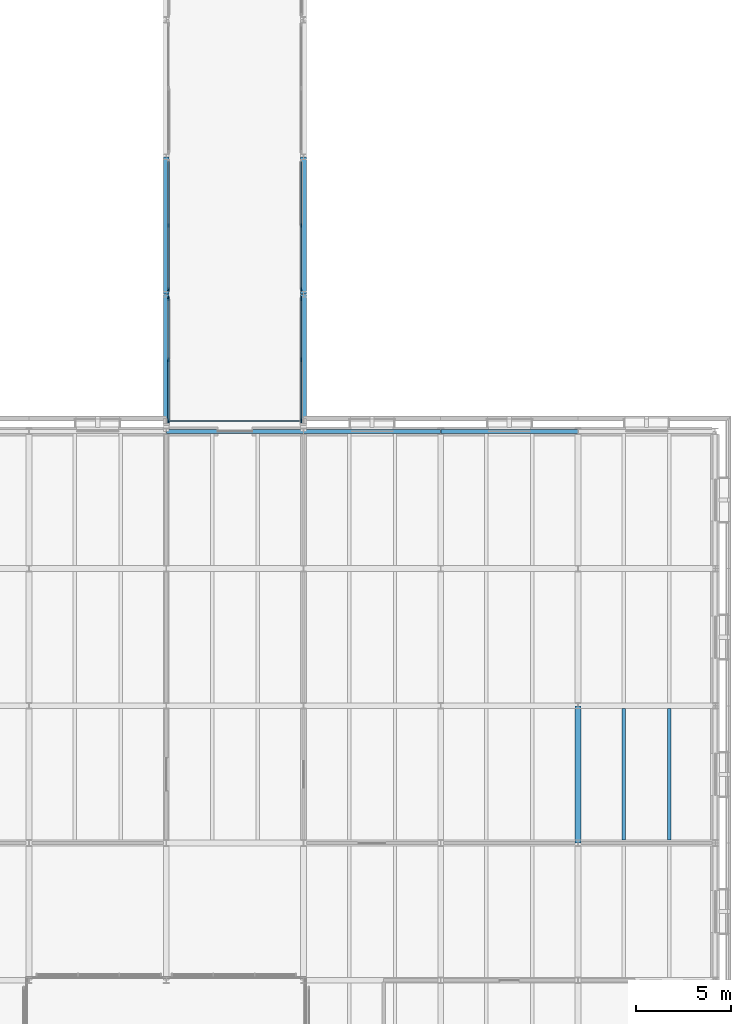
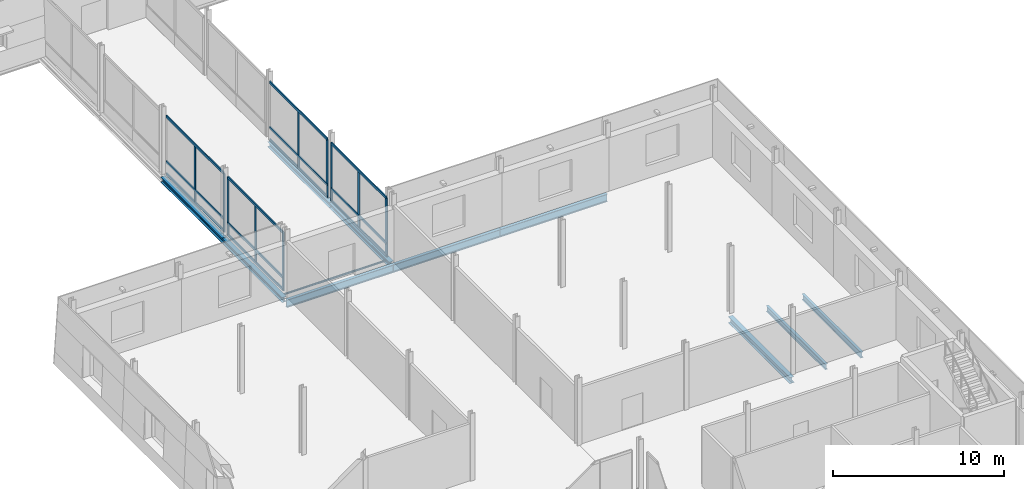
# One storey, part 42 of 121: 22 members, 11 beams, 4 elements without a shape of their own.
"""IFC4 building model written with IfcOpenShell, lengths in metres."""

from ifc_helpers import new_model, si_unit, direction, frame, origin, origin_2d, place, context, subcontext, project, spatial, rectangle, i_section, extrude, material, layer, layer_set, material_profile, profile_set, type_object, element, aggregate, save


model = new_model("IFC4")

# Units and contexts
model_context = context("Model", 3, precision=1e-05, world=origin(), true_north=direction((0.0, 1.0)))
body_context = subcontext(model_context, "Body", "Model", "MODEL_VIEW")
ifc_project = project(units=[si_unit("LENGTHUNIT", "METRE"), si_unit("AREAUNIT", "SQUARE_METRE"), si_unit("VOLUMEUNIT", "CUBIC_METRE"), si_unit("PLANEANGLEUNIT", "RADIAN"), si_unit("MASSUNIT", "GRAM", prefix="KILO")], contexts=[model_context])

# Site, building, storey
site_placement = place(None, origin())
site = spatial("IfcSite", under=ifc_project, at=site_placement, CompositionType="ELEMENT")
building_placement = place(site_placement, origin())
building = spatial("IfcBuilding", under=site, at=building_placement, Name="Narikvali Park Central Library", CompositionType="ELEMENT")
storey_placement = place(building_placement, frame((0.0, 0.0, 5.39990234375)))
storey = spatial("IfcBuildingStorey", under=building, at=storey_placement, Name="L01", CompositionType="ELEMENT", Elevation=5.39990234375)

# Beams
ifc_material_1 = material(Name="Steel S355", Category="steel")
ifc_material_profile_1 = material_profile(ifc_material_1, i_section(OverallWidth=0.300048828125, OverallDepth=0.360107421875, WebThickness=0.012451171875, FlangeThickness=0.0224609375, FilletRadius=0.027099609375, at=origin_2d()), Name="HEB 360")
ifc_profile_set_1 = profile_set([ifc_material_profile_1], Name="Steel S355")
beam_type_1 = type_object("IfcBeamType", Name="Cloister Bridge Girder HEB360", PredefinedType="BEAM", material=ifc_profile_set_1)
beam_1_placement = place(storey_placement, frame((136.800048828125, 50.6201171875, -0.429931640625), z_axis=(0.0, 1.0, 0.0), x_axis=(-1.0, 0.0, 0.0)))
element("IfcBeam", 1, at=beam_1_placement, inside=storey, type_object=beam_type_1, Name="BRG-4 L01 Sliding Bridge Girder 1-1", PredefinedType="BEAM", context=body_context, shape_type="SweptSolid", body=[
    extrude(i_section(OverallWidth=0.300048828125, OverallDepth=0.360107421875, WebThickness=0.012451171875, FlangeThickness=0.0224609375, FilletRadius=0.027099609375, at=origin_2d()), origin(), (0.0, 0.0, 1.0), 6.969970703125),
])
beam_2_placement = place(storey_placement, frame((136.800048828125, 57.610107421875, -0.429931640625), z_axis=(0.0, 1.0, 0.0), x_axis=(-1.0, 0.0, 0.0)))
element("IfcBeam", 2, at=beam_2_placement, inside=storey, type_object=beam_type_1, Name="BRG-4 L01 Sliding Bridge Girder 1-2", PredefinedType="BEAM", context=body_context, shape_type="SweptSolid", body=[
    extrude(i_section(OverallWidth=0.300048828125, OverallDepth=0.360107421875, WebThickness=0.012451171875, FlangeThickness=0.0224609375, FilletRadius=0.027099609375, at=origin_2d()), origin(), (0.0, 0.0, 1.0), 7.179931640625),
])
beam_3_placement = place(storey_placement, frame((144.0, 50.6201171875, -0.429931640625), z_axis=(0.0, 1.0, 0.0), x_axis=(-1.0, 0.0, 0.0)))
element("IfcBeam", 3, at=beam_3_placement, inside=storey, type_object=beam_type_1, Name="BRG-4 L01 Sliding Bridge Girder 2-1", PredefinedType="BEAM", context=body_context, shape_type="SweptSolid", body=[
    extrude(i_section(OverallWidth=0.300048828125, OverallDepth=0.360107421875, WebThickness=0.012451171875, FlangeThickness=0.0224609375, FilletRadius=0.027099609375, at=origin_2d()), origin(), (0.0, 0.0, 1.0), 6.969970703125),
])
beam_4_placement = place(storey_placement, frame((144.0, 57.610107421875, -0.429931640625), z_axis=(0.0, 1.0, 0.0), x_axis=(-1.0, 0.0, 0.0)))
element("IfcBeam", 4, at=beam_4_placement, inside=storey, type_object=beam_type_1, Name="BRG-4 L01 Sliding Bridge Girder 2-2", PredefinedType="BEAM", context=body_context, shape_type="SweptSolid", body=[
    extrude(i_section(OverallWidth=0.300048828125, OverallDepth=0.360107421875, WebThickness=0.012451171875, FlangeThickness=0.0224609375, FilletRadius=0.027099609375, at=origin_2d()), origin(), (0.0, 0.0, 1.0), 7.179931640625),
])
ifc_material_profile_2 = material_profile(ifc_material_1, i_section(OverallWidth=0.179931640625, OverallDepth=0.39990234375, WebThickness=0.008544921875, FlangeThickness=0.013427734375, FilletRadius=0.02099609375, at=origin_2d()), Name="IPE 400")
ifc_profile_set_2 = profile_set([ifc_material_profile_2], Name="Steel S355")
beam_type_2 = type_object("IfcBeamType", Name="Composite Floor Joist IPE400", PredefinedType="JOIST", material=ifc_profile_set_2)
for number, where, z_axis, x_axis, name in (
    (5, (160.800048828125, 28.949951171875, -0.47998046875), (0.0, 1.0, 0.0), (-1.0, 0.0, 0.0), "V6 L01 Composite Joist 1"),
    (6, (163.199951171875, 28.949951171875, -0.47998046875), (0.0, 1.0, 0.0), (-1.0, 0.0, 0.0), "V6 L01 Composite Joist 2"),
):
    element("IfcBeam", number, at=place(storey_placement, frame(where, z_axis=z_axis, x_axis=x_axis)), inside=storey, type_object=beam_type_2, Name=name, PredefinedType="JOIST", context=body_context, shape_type="SweptSolid", body=[
        extrude(i_section(OverallWidth=0.179931640625, OverallDepth=0.39990234375, WebThickness=0.008544921875, FlangeThickness=0.013427734375, FilletRadius=0.02099609375, at=origin_2d()), origin(), (0.0, 0.0, 1.0), 6.900146484375),
    ])

# Curtain wall, members
ifc_material_2 = material(Name="Anodised Bronze Aluminium", Category="aluminium")
ifc_layer = layer(ifc_material_2, 0.219970703125, Name="Anodised Bronze Aluminium")
ifc_layer_set = layer_set([ifc_layer], Name="Anodised Bronze Aluminium")
curtain_wall_type = type_object("IfcCurtainWallType", Name="Bridge Covered Passage Glazing System", PredefinedType="NOTDEFINED", material=ifc_layer_set)
curtain_wall_1_placement = place(storey_placement, origin())
curtain_wall_1 = element("IfcCurtainWall", 7, at=curtain_wall_1_placement, inside=storey, type_object=curtain_wall_type, Name="Bridge Covered Passage Glazing System CW-BRG-4-L01-W1", PredefinedType="NOTDEFINED")
ifc_material_profile_3 = material_profile(ifc_material_2, rectangle(XDim=0.074951171875, YDim=0.179931640625, at=origin_2d()), Name="CW TRANSOM 75x180")
ifc_profile_set_3 = profile_set([ifc_material_profile_3], Name="Anodised Bronze Aluminium")
member_type_1 = type_object("IfcMemberType", Name="Curtain Wall Heavy Transom 75x180", PredefinedType="USERDEFINED", material=ifc_profile_set_3)
member_1_placement = place(storey_placement, frame((136.919921875, 50.949951171875, 0.030029296875), z_axis=(0.0, 1.0, 0.0), x_axis=(-1.0, 0.0, 0.0)))
member_1 = element("IfcMember", 8, at=member_1_placement, type_object=member_type_1, Name="CW-BRG-4-L01-W1 Transom 00", ObjectType="TRANSOM", PredefinedType="USERDEFINED", context=body_context, shape_type="SweptSolid", body=[
    extrude(rectangle(XDim=0.074951171875, YDim=0.179931640625, at=origin_2d()), origin(), (0.0, 0.0, 1.0), 6.41015625),
])
member_2_placement = place(storey_placement, frame((136.919921875, 50.949951171875, 0.900146484375), z_axis=(0.0, 1.0, 0.0), x_axis=(-1.0, 0.0, 0.0)))
member_2 = element("IfcMember", 9, at=member_2_placement, type_object=member_type_1, Name="CW-BRG-4-L01-W1 Transom 01", ObjectType="TRANSOM", PredefinedType="USERDEFINED", context=body_context, shape_type="SweptSolid", body=[
    extrude(rectangle(XDim=0.074951171875, YDim=0.179931640625, at=origin_2d()), origin(), (0.0, 0.0, 1.0), 6.41015625),
])
member_3_placement = place(storey_placement, frame((136.919921875, 50.949951171875, 4.1201171875), z_axis=(0.0, 1.0, 0.0), x_axis=(-1.0, 0.0, 0.0)))
member_3 = element("IfcMember", 10, at=member_3_placement, type_object=member_type_1, Name="CW-BRG-4-L01-W1 Transom 02", ObjectType="TRANSOM", PredefinedType="USERDEFINED", context=body_context, shape_type="SweptSolid", body=[
    extrude(rectangle(XDim=0.074951171875, YDim=0.179931640625, at=origin_2d()), origin(), (0.0, 0.0, 1.0), 6.41015625),
])

curtain_wall_2_placement = place(storey_placement, origin())
curtain_wall_2 = element("IfcCurtainWall", 11, at=curtain_wall_2_placement, inside=storey, type_object=curtain_wall_type, Name="Bridge Covered Passage Glazing System CW-BRG-4-L01-E1", PredefinedType="NOTDEFINED")
member_4_placement = place(storey_placement, frame((143.8798828125, 50.949951171875, 0.030029296875), z_axis=(0.0, 1.0, 0.0), x_axis=(-1.0, 0.0, 0.0)))
member_4 = element("IfcMember", 12, at=member_4_placement, type_object=member_type_1, Name="CW-BRG-4-L01-E1 Transom 00", ObjectType="TRANSOM", PredefinedType="USERDEFINED", context=body_context, shape_type="SweptSolid", body=[
    extrude(rectangle(XDim=0.074951171875, YDim=0.179931640625, at=origin_2d()), origin(), (0.0, 0.0, 1.0), 6.41015625),
])
member_5_placement = place(storey_placement, frame((143.8798828125, 50.949951171875, 0.900146484375), z_axis=(0.0, 1.0, 0.0), x_axis=(-1.0, 0.0, 0.0)))
member_5 = element("IfcMember", 13, at=member_5_placement, type_object=member_type_1, Name="CW-BRG-4-L01-E1 Transom 01", ObjectType="TRANSOM", PredefinedType="USERDEFINED", context=body_context, shape_type="SweptSolid", body=[
    extrude(rectangle(XDim=0.074951171875, YDim=0.179931640625, at=origin_2d()), origin(), (0.0, 0.0, 1.0), 6.41015625),
])
member_6_placement = place(storey_placement, frame((143.8798828125, 50.949951171875, 4.1201171875), z_axis=(0.0, 1.0, 0.0), x_axis=(-1.0, 0.0, 0.0)))
member_6 = element("IfcMember", 14, at=member_6_placement, type_object=member_type_1, Name="CW-BRG-4-L01-E1 Transom 02", ObjectType="TRANSOM", PredefinedType="USERDEFINED", context=body_context, shape_type="SweptSolid", body=[
    extrude(rectangle(XDim=0.074951171875, YDim=0.179931640625, at=origin_2d()), origin(), (0.0, 0.0, 1.0), 6.41015625),
])

curtain_wall_3_placement = place(storey_placement, origin())
curtain_wall_3 = element("IfcCurtainWall", 15, at=curtain_wall_3_placement, inside=storey, type_object=curtain_wall_type, Name="Bridge Covered Passage Glazing System CW-BRG-4-L01-W2", PredefinedType="NOTDEFINED")
member_7_placement = place(storey_placement, frame((136.919921875, 57.840087890625, 0.030029296875), z_axis=(0.0, 1.0, 0.0), x_axis=(-1.0, 0.0, 0.0)))
member_7 = element("IfcMember", 16, at=member_7_placement, type_object=member_type_1, Name="CW-BRG-4-L01-W2 Transom 00", ObjectType="TRANSOM", PredefinedType="USERDEFINED", context=body_context, shape_type="SweptSolid", body=[
    extrude(rectangle(XDim=0.074951171875, YDim=0.179931640625, at=origin_2d()), origin(), (0.0, 0.0, 1.0), 6.719970703125),
])
member_8_placement = place(storey_placement, frame((136.919921875, 57.840087890625, 0.900146484375), z_axis=(0.0, 1.0, 0.0), x_axis=(-1.0, 0.0, 0.0)))
member_8 = element("IfcMember", 17, at=member_8_placement, type_object=member_type_1, Name="CW-BRG-4-L01-W2 Transom 01", ObjectType="TRANSOM", PredefinedType="USERDEFINED", context=body_context, shape_type="SweptSolid", body=[
    extrude(rectangle(XDim=0.074951171875, YDim=0.179931640625, at=origin_2d()), origin(), (0.0, 0.0, 1.0), 6.719970703125),
])
member_9_placement = place(storey_placement, frame((136.919921875, 57.840087890625, 4.1201171875), z_axis=(0.0, 1.0, 0.0), x_axis=(-1.0, 0.0, 0.0)))
member_9 = element("IfcMember", 18, at=member_9_placement, type_object=member_type_1, Name="CW-BRG-4-L01-W2 Transom 02", ObjectType="TRANSOM", PredefinedType="USERDEFINED", context=body_context, shape_type="SweptSolid", body=[
    extrude(rectangle(XDim=0.074951171875, YDim=0.179931640625, at=origin_2d()), origin(), (0.0, 0.0, 1.0), 6.719970703125),
])

curtain_wall_4_placement = place(storey_placement, origin())
curtain_wall_4 = element("IfcCurtainWall", 19, at=curtain_wall_4_placement, inside=storey, type_object=curtain_wall_type, Name="Bridge Covered Passage Glazing System CW-BRG-4-L01-E2", PredefinedType="NOTDEFINED")
member_10_placement = place(storey_placement, frame((143.8798828125, 57.840087890625, 0.030029296875), z_axis=(0.0, 1.0, 0.0), x_axis=(-1.0, 0.0, 0.0)))
member_10 = element("IfcMember", 20, at=member_10_placement, type_object=member_type_1, Name="CW-BRG-4-L01-E2 Transom 00", ObjectType="TRANSOM", PredefinedType="USERDEFINED", context=body_context, shape_type="SweptSolid", body=[
    extrude(rectangle(XDim=0.074951171875, YDim=0.179931640625, at=origin_2d()), origin(), (0.0, 0.0, 1.0), 6.719970703125),
])
member_11_placement = place(storey_placement, frame((143.8798828125, 57.840087890625, 0.900146484375), z_axis=(0.0, 1.0, 0.0), x_axis=(-1.0, 0.0, 0.0)))
member_11 = element("IfcMember", 21, at=member_11_placement, type_object=member_type_1, Name="CW-BRG-4-L01-E2 Transom 01", ObjectType="TRANSOM", PredefinedType="USERDEFINED", context=body_context, shape_type="SweptSolid", body=[
    extrude(rectangle(XDim=0.074951171875, YDim=0.179931640625, at=origin_2d()), origin(), (0.0, 0.0, 1.0), 6.719970703125),
])
member_12_placement = place(storey_placement, frame((143.8798828125, 57.840087890625, 4.1201171875), z_axis=(0.0, 1.0, 0.0), x_axis=(-1.0, 0.0, 0.0)))
member_12 = element("IfcMember", 22, at=member_12_placement, type_object=member_type_1, Name="CW-BRG-4-L01-E2 Transom 02", ObjectType="TRANSOM", PredefinedType="USERDEFINED", context=body_context, shape_type="SweptSolid", body=[
    extrude(rectangle(XDim=0.074951171875, YDim=0.179931640625, at=origin_2d()), origin(), (0.0, 0.0, 1.0), 6.719970703125),
])

# Member
ifc_material_profile_4 = material_profile(ifc_material_2, rectangle(XDim=0.070068359375, YDim=0.199951171875, at=origin_2d()), Name="CW MULLION 70x200")
ifc_profile_set_4 = profile_set([ifc_material_profile_4], Name="Anodised Bronze Aluminium")
member_type_2 = type_object("IfcMemberType", Name="Curtain Wall Mullion 70x200", PredefinedType="MULLION", material=ifc_profile_set_4)
member_13_placement = place(storey_placement, frame((136.919921875, 50.949951171875, -0.010009765625), z_axis=(0.0, 0.0, 1.0), x_axis=(1.0, 0.0, 0.0)))
member_13 = element("IfcMember", 23, at=member_13_placement, type_object=member_type_2, Name="CW-BRG-4-L01-W1 Mullion 00", PredefinedType="MULLION", context=body_context, shape_type="SweptSolid", body=[
    extrude(rectangle(XDim=0.070068359375, YDim=0.199951171875, at=origin_2d()), origin(), (0.0, 0.0, 1.0), 4.16015625),
])

member_14_placement = place(storey_placement, frame((136.919921875, 54.155029296875, -0.010009765625), z_axis=(0.0, 0.0, 1.0), x_axis=(1.0, 0.0, 0.0)))
member_14 = element("IfcMember", 24, at=member_14_placement, type_object=member_type_2, Name="CW-BRG-4-L01-W1 Mullion 01", PredefinedType="MULLION", context=body_context, shape_type="SweptSolid", body=[
    extrude(rectangle(XDim=0.070068359375, YDim=0.199951171875, at=origin_2d()), origin(), (0.0, 0.0, 1.0), 4.16015625),
])

member_15_placement = place(storey_placement, frame((136.919921875, 57.360107421875, -0.010009765625), z_axis=(0.0, 0.0, 1.0), x_axis=(1.0, 0.0, 0.0)))
member_15 = element("IfcMember", 25, at=member_15_placement, type_object=member_type_2, Name="CW-BRG-4-L01-W1 Mullion 02", PredefinedType="MULLION", context=body_context, shape_type="SweptSolid", body=[
    extrude(rectangle(XDim=0.070068359375, YDim=0.199951171875, at=origin_2d()), origin(), (0.0, 0.0, 1.0), 4.16015625),
])

aggregate(curtain_wall_1, [member_13, member_14, member_15, member_1, member_2, member_3])

member_16_placement = place(storey_placement, frame((143.8798828125, 50.949951171875, -0.010009765625), z_axis=(0.0, 0.0, 1.0), x_axis=(1.0, 0.0, 0.0)))
member_16 = element("IfcMember", 26, at=member_16_placement, type_object=member_type_2, Name="CW-BRG-4-L01-E1 Mullion 00", PredefinedType="MULLION", context=body_context, shape_type="SweptSolid", body=[
    extrude(rectangle(XDim=0.070068359375, YDim=0.199951171875, at=origin_2d()), origin(), (0.0, 0.0, 1.0), 4.16015625),
])

member_17_placement = place(storey_placement, frame((143.8798828125, 54.155029296875, -0.010009765625), z_axis=(0.0, 0.0, 1.0), x_axis=(1.0, 0.0, 0.0)))
member_17 = element("IfcMember", 27, at=member_17_placement, type_object=member_type_2, Name="CW-BRG-4-L01-E1 Mullion 01", PredefinedType="MULLION", context=body_context, shape_type="SweptSolid", body=[
    extrude(rectangle(XDim=0.070068359375, YDim=0.199951171875, at=origin_2d()), origin(), (0.0, 0.0, 1.0), 4.16015625),
])

member_18_placement = place(storey_placement, frame((143.8798828125, 57.360107421875, -0.010009765625), z_axis=(0.0, 0.0, 1.0), x_axis=(1.0, 0.0, 0.0)))
member_18 = element("IfcMember", 28, at=member_18_placement, type_object=member_type_2, Name="CW-BRG-4-L01-E1 Mullion 02", PredefinedType="MULLION", context=body_context, shape_type="SweptSolid", body=[
    extrude(rectangle(XDim=0.070068359375, YDim=0.199951171875, at=origin_2d()), origin(), (0.0, 0.0, 1.0), 4.16015625),
])

aggregate(curtain_wall_2, [member_16, member_17, member_18, member_4, member_5, member_6])

member_19_placement = place(storey_placement, frame((136.919921875, 57.840087890625, -0.010009765625), z_axis=(0.0, 0.0, 1.0), x_axis=(1.0, 0.0, 0.0)))
member_19 = element("IfcMember", 29, at=member_19_placement, type_object=member_type_2, Name="CW-BRG-4-L01-W2 Mullion 00", PredefinedType="MULLION", context=body_context, shape_type="SweptSolid", body=[
    extrude(rectangle(XDim=0.070068359375, YDim=0.199951171875, at=origin_2d()), origin(), (0.0, 0.0, 1.0), 4.16015625),
])

member_20_placement = place(storey_placement, frame((136.919921875, 61.199951171875, -0.010009765625), z_axis=(0.0, 0.0, 1.0), x_axis=(1.0, 0.0, 0.0)))
member_20 = element("IfcMember", 30, at=member_20_placement, type_object=member_type_2, Name="CW-BRG-4-L01-W2 Mullion 01", PredefinedType="MULLION", context=body_context, shape_type="SweptSolid", body=[
    extrude(rectangle(XDim=0.070068359375, YDim=0.199951171875, at=origin_2d()), origin(), (0.0, 0.0, 1.0), 4.16015625),
])

aggregate(curtain_wall_3, [member_19, member_20, member_7, member_8, member_9])

member_21_placement = place(storey_placement, frame((143.8798828125, 57.840087890625, -0.010009765625), z_axis=(0.0, 0.0, 1.0), x_axis=(1.0, 0.0, 0.0)))
member_21 = element("IfcMember", 31, at=member_21_placement, type_object=member_type_2, Name="CW-BRG-4-L01-E2 Mullion 00", PredefinedType="MULLION", context=body_context, shape_type="SweptSolid", body=[
    extrude(rectangle(XDim=0.070068359375, YDim=0.199951171875, at=origin_2d()), origin(), (0.0, 0.0, 1.0), 4.16015625),
])

member_22_placement = place(storey_placement, frame((143.8798828125, 61.199951171875, -0.010009765625), z_axis=(0.0, 0.0, 1.0), x_axis=(1.0, 0.0, 0.0)))
member_22 = element("IfcMember", 32, at=member_22_placement, type_object=member_type_2, Name="CW-BRG-4-L01-E2 Mullion 01", PredefinedType="MULLION", context=body_context, shape_type="SweptSolid", body=[
    extrude(rectangle(XDim=0.070068359375, YDim=0.199951171875, at=origin_2d()), origin(), (0.0, 0.0, 1.0), 4.16015625),
])

aggregate(curtain_wall_4, [member_21, member_22, member_10, member_11, member_12])

# Beams
ifc_material_profile_5 = material_profile(ifc_material_1, i_section(OverallWidth=0.2099609375, OverallDepth=0.550048828125, WebThickness=0.010986328125, FlangeThickness=0.01708984375, FilletRadius=0.02392578125, at=origin_2d()), Name="IPE 550")
ifc_profile_set_5 = profile_set([ifc_material_profile_5], Name="Steel S355")
beam_type_3 = type_object("IfcBeamType", Name="Perimeter Spandrel IPE550", PredefinedType="SPANDREL", material=ifc_profile_set_5)
for number, where, z_axis, x_axis, name in (
    (33, (136.80810546875, 50.39990234375, -0.554931640625), (1.0, 0.0, 0.0), (0.0, 1.0, 0.0), "V6 L01 Girder X"),
    (34, (144.008056640625, 50.39990234375, -0.554931640625), (1.0, 0.0, 0.0), (0.0, 1.0, 0.0), "V6 L01 Girder X"),
):
    element("IfcBeam", number, at=place(storey_placement, frame(where, z_axis=z_axis, x_axis=x_axis)), inside=storey, type_object=beam_type_3, Name=name, PredefinedType="SPANDREL", context=body_context, shape_type="SweptSolid", body=[
        extrude(i_section(OverallWidth=0.2099609375, OverallDepth=0.550048828125, WebThickness=0.010986328125, FlangeThickness=0.01708984375, FilletRadius=0.02392578125, at=origin_2d()), origin(), (0.0, 0.0, 1.0), 7.183837890625),
    ])
beam_5_placement = place(storey_placement, frame((151.2080078125, 50.39990234375, -0.554931640625), z_axis=(1.0, 0.0, 0.0), x_axis=(0.0, 1.0, 0.0)))
element("IfcBeam", 35, at=beam_5_placement, inside=storey, type_object=beam_type_3, Name="V6 L01 Girder X", PredefinedType="SPANDREL", context=body_context, shape_type="SweptSolid", body=[
    extrude(i_section(OverallWidth=0.2099609375, OverallDepth=0.550048828125, WebThickness=0.010986328125, FlangeThickness=0.01708984375, FilletRadius=0.02392578125, at=origin_2d()), origin(), (0.0, 0.0, 1.0), 7.18408203125),
])
ifc_material_profile_6 = material_profile(ifc_material_1, i_section(OverallWidth=0.300048828125, OverallDepth=0.43994140625, WebThickness=0.011474609375, FlangeThickness=0.02099609375, FilletRadius=0.027099609375, at=origin_2d()), Name="HEA 450")
ifc_profile_set_6 = profile_set([ifc_material_profile_6], Name="Steel S355")
beam_type_4 = type_object("IfcBeamType", Name="Primary Girder HEA450", PredefinedType="BEAM", material=ifc_profile_set_6)
beam_6_placement = place(storey_placement, frame((158.39990234375, 28.80810546875, -0.5), z_axis=(0.0, 1.0, 0.0), x_axis=(-1.0, 0.0, 0.0)))
element("IfcBeam", 36, at=beam_6_placement, inside=storey, type_object=beam_type_4, Name="V6 L01 Girder Y", PredefinedType="BEAM", context=body_context, shape_type="SweptSolid", body=[
    extrude(i_section(OverallWidth=0.300048828125, OverallDepth=0.43994140625, WebThickness=0.011474609375, FlangeThickness=0.02099609375, FilletRadius=0.027099609375, at=origin_2d()), origin(), (0.0, 0.0, 1.0), 7.183837890625),
])
ifc_material_profile_7 = material_profile(ifc_material_1, i_section(OverallWidth=0.06396484375, OverallDepth=0.1201171875, WebThickness=0.00439453125, FlangeThickness=0.00634765625, FilletRadius=0.007080078125, at=origin_2d()), Name="IPE 120")
ifc_profile_set_7 = profile_set([ifc_material_profile_7], Name="Steel S355")
beam_type_5 = type_object("IfcBeamType", Name="Skylight Curb Trimmer IPE120", PredefinedType="LINTEL", material=ifc_profile_set_7)
beam_7_placement = place(storey_placement, frame((136.9599609375, 50.949951171875, -0.309814453125), z_axis=(1.0, 0.0, 0.0), x_axis=(0.0, 1.0, 0.0)))
element("IfcBeam", 37, at=beam_7_placement, inside=storey, type_object=beam_type_5, Name="BRG-4 L01 Portal Transverse Lintel", PredefinedType="LINTEL", context=body_context, shape_type="SweptSolid", body=[
    extrude(i_section(OverallWidth=0.06396484375, OverallDepth=0.1201171875, WebThickness=0.00439453125, FlangeThickness=0.00634765625, FilletRadius=0.007080078125, at=origin_2d()), origin(), (0.0, 0.0, 1.0), 6.880126953125),
])

save(model, "model.ifc")
